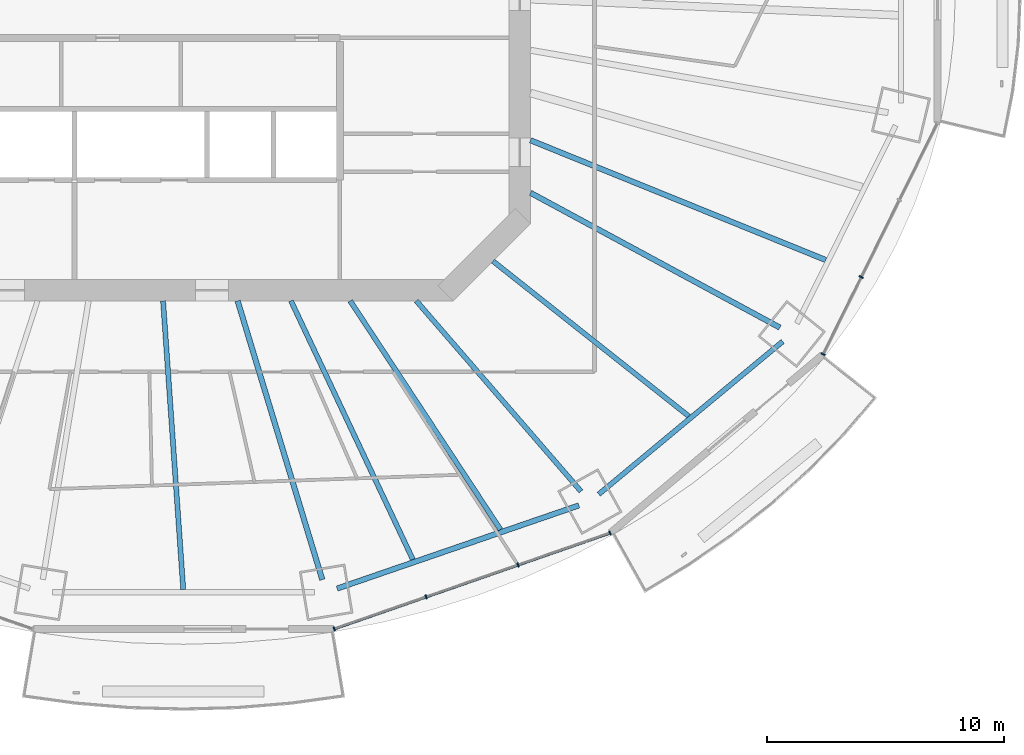
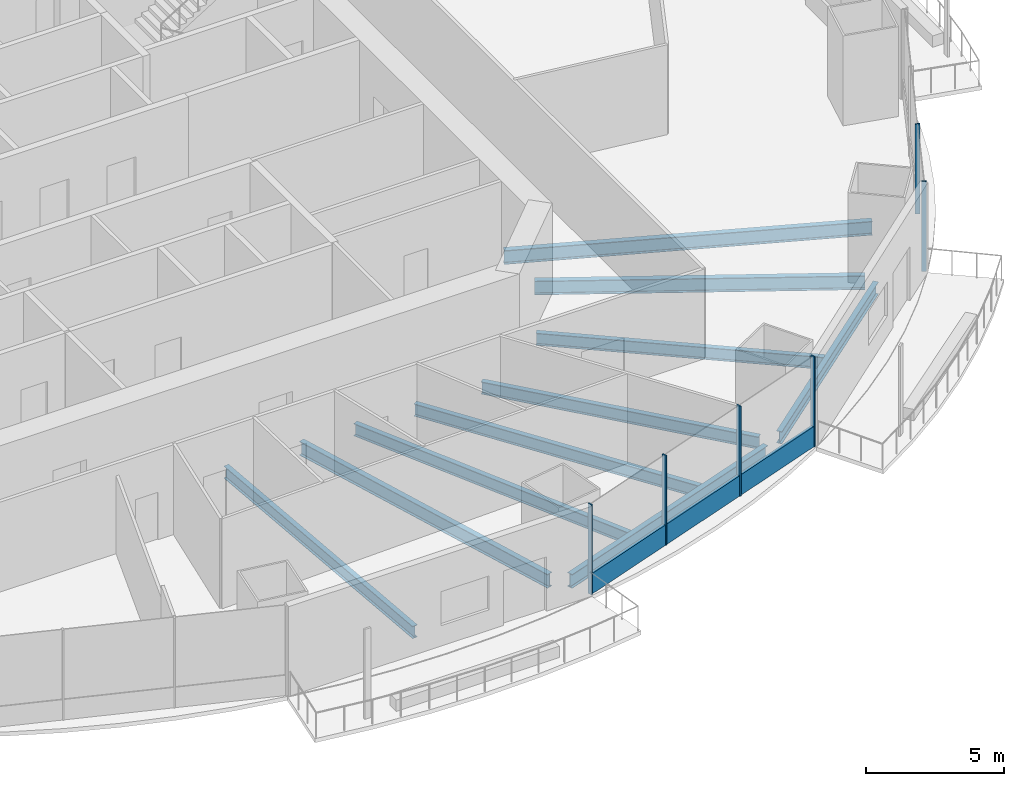
# One storey, part 4 of 20: 10 beams, 7 members, 2 elements without a shape of their own.
"""IFC4 building model written with IfcOpenShell, lengths in metres."""

import ifcopenshell
import ifcopenshell.guid

model = None  # the IFC model being written
_history = None  # IfcOwnerHistory: only IFC2X3 demands one
_inside = {}  # id of a spatial element -> (the spatial element, [elements in it])
_under = {}  # id of a project, library or spatial element -> (it, [spatial elements below it])
_declared = {}  # id of a project -> (the project, [libraries it declares])
_typed = {}  # id of a type object -> (the type object, [elements of that type])
_made_of = {}  # id of a material, layer set ... -> (it, [elements and type objects made of it])


def new_model(schema):
    """Start an empty IFC model of exactly this schema.

    Asked for "IFC4X3", IfcOpenShell would pick the latest addendum, in which some entities
    have other attributes; the version numbers below select the first issue.
    IFC2X3 requires an IfcOwnerHistory on every rooted entity: one is made here for all.
    """
    global model, _history
    if schema == "IFC4X3":
        model = ifcopenshell.file(schema_version=(4, 3, 0, 0))
    else:
        model = ifcopenshell.file(schema=schema)
    _inside.clear()
    _under.clear()
    _declared.clear()
    _typed.clear()
    _made_of.clear()
    _history = None
    if model.schema == "IFC2X3":
        org = make("IfcOrganization", Name="unknown")
        user = make(
            "IfcPersonAndOrganization",
            ThePerson=make("IfcPerson", FamilyName="unknown"),
            TheOrganization=org,
        )
        app = make(
            "IfcApplication",
            ApplicationDeveloper=org,
            Version="unknown",
            ApplicationFullName="unknown",
            ApplicationIdentifier="unknown",
        )
        _history = make(
            "IfcOwnerHistory",
            OwningUser=user,
            OwningApplication=app,
            ChangeAction="ADDED",
            CreationDate=0,
        )
    return model


def make(cls, **values):
    """One entity of the class cls with the attributes given. An attribute that is None is left unset."""
    return model.create_entity(
        cls, **{name: value for name, value in values.items() if value is not None}
    )


def rooted(cls, **values):
    """An entity with a GlobalId (a new one), such as an element, a storey or a relation."""
    return make(cls, GlobalId=ifcopenshell.guid.new(), OwnerHistory=_history, **values)


def si_unit(unit_type, name, prefix=None):
    """IfcSIUnit, for example si_unit("LENGTHUNIT", "METRE", prefix="MILLI")."""
    return make("IfcSIUnit", UnitType=unit_type, Prefix=prefix, Name=name)


def assignment(units):
    """IfcUnitAssignment: the units of a project."""
    return None if units is None else make("IfcUnitAssignment", Units=units)


def point(xyz):
    """IfcCartesianPoint."""
    return None if xyz is None else make("IfcCartesianPoint", Coordinates=xyz)


def direction(xyz):
    """IfcDirection."""
    return None if xyz is None else make("IfcDirection", DirectionRatios=xyz)


def frame(location, z_axis=None, x_axis=None):
    """IfcAxis2Placement3D, a coordinate frame: its origin and axes. An axis left out is left unset."""
    return make(
        "IfcAxis2Placement3D",
        Location=point(location),
        Axis=direction(z_axis),
        RefDirection=direction(x_axis),
    )


def frame_2d(location, x_axis=None):
    """IfcAxis2Placement2D, a coordinate frame in the plane: its origin and x axis."""
    return make(
        "IfcAxis2Placement2D", Location=point(location), RefDirection=direction(x_axis)
    )


def origin():
    """The frame at (0, 0, 0) with its axes left unset."""
    return frame((0.0, 0.0, 0.0))


def origin_2d():
    """The frame at (0, 0) in the plane with its x axis left unset."""
    return frame_2d((0.0, 0.0))


def place(relative_to, where):
    """IfcLocalPlacement: puts the frame where relative to a parent placement (None: the world)."""
    return make(
        "IfcLocalPlacement", PlacementRelTo=relative_to, RelativePlacement=where
    )


def context(
    kind, dimensions, precision=None, world=None, true_north=None, identifier=None
):
    """IfcGeometricRepresentationContext, for example the 3D "Model" context."""
    return make(
        "IfcGeometricRepresentationContext",
        ContextIdentifier=identifier,
        ContextType=kind,
        CoordinateSpaceDimension=dimensions,
        Precision=precision,
        WorldCoordinateSystem=world,
        TrueNorth=true_north,
    )


def subcontext(parent, identifier, kind, view, scale=None):
    """IfcGeometricRepresentationSubContext, for example "Body" below "Model"."""
    return make(
        "IfcGeometricRepresentationSubContext",
        ContextIdentifier=identifier,
        ContextType=kind,
        ParentContext=parent,
        TargetScale=scale,
        TargetView=view,
    )


def project(units=None, contexts=None):
    """IfcProject with its units and contexts."""
    return rooted(
        "IfcProject",
        Name="project",
        RepresentationContexts=contexts,
        UnitsInContext=assignment(units),
    )


def spatial(cls, under=None, at=None, **own):
    """A site, building, storey or space (cls), placed at a placement, below another one or the project."""
    s = rooted(cls, ObjectPlacement=at, **own)
    if under is not None:
        _under.setdefault(under.id(), (under, []))[1].append(s)
    return s


def profile(cls, at=None, kind="AREA", **sizes):
    """A parametric profile (cls). Its sizes go by their IFC names, for example OverallWidth=200.0."""
    return make(cls, ProfileType=kind, Position=at, **sizes)


def rectangle(**sizes):
    """IfcRectangleProfileDef."""
    return profile("IfcRectangleProfileDef", **sizes)


def i_section(**sizes):
    """IfcIShapeProfileDef."""
    return profile("IfcIShapeProfileDef", **sizes)


def extrude(swept, where, along, depth):
    """IfcExtrudedAreaSolid: the profile swept, set in the frame where, extruded along a direction by depth."""
    return make(
        "IfcExtrudedAreaSolid",
        SweptArea=swept,
        Position=where,
        ExtrudedDirection=direction(along),
        Depth=depth,
    )


def shape(context_of_items, identifier, shape_type, items):
    """IfcShapeRepresentation: the items that make up one representation, for example the "Body"."""
    return make(
        "IfcShapeRepresentation",
        ContextOfItems=context_of_items,
        RepresentationIdentifier=identifier,
        RepresentationType=shape_type,
        Items=items,
    )


def material(Name=None, Category=None):
    """IfcMaterial."""
    return make("IfcMaterial", Name=Name, Category=Category)


def material_profile(
    of_material, cross_section, Name=None, Category=None, Priority=None
):
    """IfcMaterialProfile: a cross section and its material."""
    return make(
        "IfcMaterialProfile",
        Name=Name,
        Material=of_material,
        Profile=cross_section,
        Priority=Priority,
        Category=Category,
    )


def profile_set(profiles, Name=None, composite=None):
    """IfcMaterialProfileSet."""
    return make(
        "IfcMaterialProfileSet",
        Name=Name,
        MaterialProfiles=profiles,
        CompositeProfile=composite,
    )


def made_of(thing, what):
    """Note that an element or type object is made of a material, layer set ...; save() writes the relation."""
    if what is not None:
        _made_of.setdefault(what.id(), (what, []))[1].append(thing)
    return thing


def type_object(cls, material=None, **own):
    """A type object (cls), such as IfcWallType, which elements share."""
    return made_of(rooted(cls, **own), material)


def element(
    cls,
    number,
    at=None,
    inside=None,
    cuts=None,
    type_object=None,
    material=None,
    context=None,
    identifier="Body",
    shape_type=None,
    held_by="IfcProductDefinitionShape",
    body=None,
    shapes=None,
    **own,
):
    """One element of the class cls, such as IfcWall. Its Tag is "e" and its number.

    at: its placement. inside: the storey or other place that contains it. cuts: it is an
    opening in that element (IfcRelVoidsElement). A single representation is given by context,
    identifier, shape_type and body (its items); several are given by shapes. held_by: the class
    of the entity that holds the representations. save() writes the other relations.
    """
    e = rooted(cls, Tag="e%d" % number, ObjectPlacement=at, **own)
    if body is not None:
        shapes = [shape(context, identifier, shape_type, body)]
    if shapes is not None:
        e.Representation = make(held_by, Representations=shapes)
    if inside is not None:
        _inside.setdefault(inside.id(), (inside, []))[1].append(e)
    if cuts is not None:
        rooted(
            "IfcRelVoidsElement", RelatingBuildingElement=cuts, RelatedOpeningElement=e
        )
    if type_object is not None:
        _typed.setdefault(type_object.id(), (type_object, []))[1].append(e)
    return made_of(e, material)


def aggregate(whole, parts):
    """IfcRelAggregates: a whole, such as a stair, and the parts it consists of."""
    return rooted("IfcRelAggregates", RelatingObject=whole, RelatedObjects=parts)


def save(model, path):
    """Write the relations noted so far, then the file.

    IfcRelAggregates (storeys below a building ...), IfcRelContainedInSpatialStructure (elements
    in a storey), IfcRelDefinesByType, IfcRelAssociatesMaterial and IfcRelDeclares: one each for
    every whole, place, type object, material and project.
    """
    for whole, parts in _under.values():
        aggregate(whole, parts)
    for where, things in _inside.values():
        rooted(
            "IfcRelContainedInSpatialStructure",
            RelatedElements=things,
            RelatingStructure=where,
        )
    for kind, things in _typed.values():
        rooted("IfcRelDefinesByType", RelatedObjects=things, RelatingType=kind)
    for what, things in _made_of.values():
        rooted("IfcRelAssociatesMaterial", RelatedObjects=things, RelatingMaterial=what)
    for by, libraries in _declared.values():
        rooted("IfcRelDeclares", RelatingContext=by, RelatedDefinitions=libraries)
    model.write(path)


model = new_model("IFC4")

# Units and contexts
model_context = context("Model", 3, precision=1e-05, world=origin(), true_north=direction((0.0, 1.0)))
body_context = subcontext(model_context, "Body", "Model", "MODEL_VIEW")
ifc_project = project(units=[si_unit("LENGTHUNIT", "METRE"), si_unit("AREAUNIT", "SQUARE_METRE"), si_unit("VOLUMEUNIT", "CUBIC_METRE"), si_unit("PLANEANGLEUNIT", "RADIAN"), si_unit("MASSUNIT", "GRAM", prefix="KILO")], contexts=[model_context])

# Site, building, storey
site_placement = place(None, origin())
site = spatial("IfcSite", under=ifc_project, at=site_placement, CompositionType="ELEMENT")
building_placement = place(site_placement, origin())
building = spatial("IfcBuilding", under=site, at=building_placement, Name="Marenthal Gate Tower", CompositionType="ELEMENT")
storey_placement = place(building_placement, frame((0.0, 0.0, 181.800048828125)))
storey = spatial("IfcBuildingStorey", under=building, at=storey_placement, Name="L39", CompositionType="ELEMENT", Elevation=181.800048828125)

# Curtain wall, members
ifc_material_1 = material(Name="Aluminium and glass", Category="aluminium")
curtain_wall_type = type_object("IfcCurtainWallType", Name="Curtain wall typical mid", PredefinedType="NOTDEFINED", material=ifc_material_1)
curtain_wall_1_placement = place(storey_placement, origin())
curtain_wall_1 = element("IfcCurtainWall", 1, at=curtain_wall_1_placement, inside=storey, type_object=curtain_wall_type, Name="Curtain wall L39 bay 13", PredefinedType="NOTDEFINED")
ifc_material_2 = material(Name="Aluminium", Category="aluminium")
ifc_material_profile_1 = material_profile(ifc_material_2, rectangle(XDim=0.179931640625, YDim=0.06005859375, at=origin_2d()), Name="60x180 aluminium mullion")
ifc_profile_set_1 = profile_set([ifc_material_profile_1], Name="Aluminium")
member_type_1 = type_object("IfcMemberType", Name="Mullion 60x180 typical mid", PredefinedType="MULLION", material=ifc_profile_set_1)
member_1_placement = place(storey_placement, frame((8.160400390625, -27.29296875, 0.0), z_axis=(0.0, 0.0, 1.0), x_axis=(-0.32821091538, 0.944604464856, 0.0)))
member_1 = element("IfcMember", 2, at=member_1_placement, type_object=member_type_1, Name="Mullion L39 bay 13.1", PredefinedType="MULLION", context=body_context, shape_type="SweptSolid", body=[
    extrude(rectangle(XDim=0.179931640625, YDim=0.06005859375, at=origin_2d()), origin(), (0.0, 0.0, 1.0), 3.969970703125),
])
member_2_placement = place(storey_placement, frame((12.04150390625, -25.944580078125, 0.0), z_axis=(0.0, 0.0, 1.0), x_axis=(-0.32821091538, 0.944604464856, 0.0)))
member_2 = element("IfcMember", 3, at=member_2_placement, type_object=member_type_1, Name="Mullion L39 bay 13.2", PredefinedType="MULLION", context=body_context, shape_type="SweptSolid", body=[
    extrude(rectangle(XDim=0.179931640625, YDim=0.06005859375, at=origin_2d()), origin(), (0.0, 0.0, 1.0), 3.969970703125),
])
member_3_placement = place(storey_placement, frame((15.922607421875, -24.595947265625, 0.0), z_axis=(0.0, 0.0, 1.0), x_axis=(-0.32821091538, 0.944604464856, 0.0)))
member_3 = element("IfcMember", 4, at=member_3_placement, type_object=member_type_1, Name="Mullion L39 bay 13.3", PredefinedType="MULLION", context=body_context, shape_type="SweptSolid", body=[
    extrude(rectangle(XDim=0.179931640625, YDim=0.06005859375, at=origin_2d()), origin(), (0.0, 0.0, 1.0), 3.969970703125),
])
member_4_placement = place(storey_placement, frame((19.8037109375, -23.24755859375, 0.0), z_axis=(0.0, 0.0, 1.0), x_axis=(-0.32821091538, 0.944604464856, 0.0)))
member_4 = element("IfcMember", 5, at=member_4_placement, type_object=member_type_1, Name="Mullion L39 bay 13.4", PredefinedType="MULLION", context=body_context, shape_type="SweptSolid", body=[
    extrude(rectangle(XDim=0.179931640625, YDim=0.06005859375, at=origin_2d()), origin(), (0.0, 0.0, 1.0), 3.969970703125),
])

curtain_wall_2_placement = place(storey_placement, origin())
curtain_wall_2 = element("IfcCurtainWall", 6, at=curtain_wall_2_placement, inside=storey, type_object=curtain_wall_type, Name="Curtain wall L39 bay 15", PredefinedType="NOTDEFINED")
member_5_placement = place(storey_placement, frame((28.80029296875, -15.69921875, 0.0), z_axis=(0.0, 0.0, 1.0), x_axis=(-0.89664343149, 0.442753381428, 0.0)))
member_5 = element("IfcMember", 7, at=member_5_placement, type_object=member_type_1, Name="Mullion L39 bay 15.1", PredefinedType="MULLION", context=body_context, shape_type="SweptSolid", body=[
    extrude(rectangle(XDim=0.179931640625, YDim=0.06005859375, at=origin_2d()), origin(), (0.0, 0.0, 1.0), 3.969970703125),
])
member_6_placement = place(storey_placement, frame((30.40673828125, -12.445556640625, 0.0), z_axis=(0.0, 0.0, 1.0), x_axis=(-0.89664343149, 0.442753381428, 0.0)))
member_6 = element("IfcMember", 8, at=member_6_placement, type_object=member_type_1, Name="Mullion L39 bay 15.2", PredefinedType="MULLION", context=body_context, shape_type="SweptSolid", body=[
    extrude(rectangle(XDim=0.179931640625, YDim=0.06005859375, at=origin_2d()), origin(), (0.0, 0.0, 1.0), 3.969970703125),
])
aggregate(curtain_wall_2, [member_5, member_6])

# Member
ifc_material_3 = material(Name="Aluminium", Category="aluminium")
ifc_material_profile_2 = material_profile(ifc_material_3, rectangle(XDim=0.1201171875, YDim=0.89990234375, at=origin_2d()), Name="120x900 aluminium transom")
ifc_profile_set_2 = profile_set([ifc_material_profile_2], Name="Aluminium")
member_type_2 = type_object("IfcMemberType", Name="Transom 120x900 typical mid", PredefinedType="USERDEFINED", material=ifc_profile_set_2)
member_7_placement = place(storey_placement, frame((8.188720703125, -27.283203125, 0.449951171875), z_axis=(0.944604688319, 0.328210272243, 0.0), x_axis=(-0.328210272243, 0.944604688319, 0.0)))
member_7 = element("IfcMember", 9, at=member_7_placement, type_object=member_type_2, Name="Transom L39 bay 13", ObjectType="TRANSOM", PredefinedType="USERDEFINED", context=body_context, shape_type="SweptSolid", body=[
    extrude(rectangle(XDim=0.1201171875, YDim=0.89990234375, at=origin_2d()), origin(), (0.0, 0.0, 1.0), 12.26611328125),
])

aggregate(curtain_wall_1, [member_1, member_2, member_3, member_4, member_7])

# Beams
ifc_material_4 = material(Name="Steel S355", Category="steel")
ifc_material_profile_3 = material_profile(ifc_material_4, i_section(OverallWidth=0.2099609375, OverallDepth=0.535888671875, WebThickness=0.010986328125, FlangeThickness=0.017333984375, FilletRadius=0.0126953125, at=origin_2d()), Name="W530X101")
ifc_profile_set_3 = profile_set([ifc_material_profile_3], Name="Steel S355")
beam_type_1 = type_object("IfcBeamType", Name="W530X101 beam", PredefinedType="BEAM", material=ifc_profile_set_3)
beam_1_placement = place(storey_placement, frame((23.12890625, -18.31884765625, -0.447998046875), z_axis=(-0.783911518146, 0.620872556745, 0.0), x_axis=(-0.620872556745, -0.783911518146, 0.0)))
element("IfcBeam", 10, at=beam_1_placement, inside=storey, type_object=beam_type_1, Name="BM-L39-37", PredefinedType="BEAM", context=body_context, shape_type="SweptSolid", body=[
    extrude(i_section(OverallWidth=0.2099609375, OverallDepth=0.535888671875, WebThickness=0.010986328125, FlangeThickness=0.017333984375, FilletRadius=0.0126953125, at=origin_2d()), origin(), (0.0, 0.0, 1.0), 10.54345703125),
])
ifc_material_5 = material(Name="Steel S355", Category="steel")
ifc_material_profile_4 = material_profile(ifc_material_5, i_section(OverallWidth=0.2119140625, OverallDepth=0.5439453125, WebThickness=0.01318359375, FlangeThickness=0.021240234375, FilletRadius=0.0126953125, at=origin_2d()), Name="W530X123")
ifc_profile_set_4 = profile_set([ifc_material_profile_4], Name="Steel S355")
beam_type_2 = type_object("IfcBeamType", Name="W530X123 beam", PredefinedType="BEAM", material=ifc_profile_set_4)
beam_2_placement = place(storey_placement, frame((18.57958984375, -21.490478515625, -0.4521484375), z_axis=(-0.654014478657, 0.756482029996, 0.0), x_axis=(-0.756482029996, -0.654014478657, 0.0)))
element("IfcBeam", 11, at=beam_2_placement, inside=storey, type_object=beam_type_2, Name="BM-L39-14", PredefinedType="BEAM", context=body_context, shape_type="SweptSolid", body=[
    extrude(i_section(OverallWidth=0.2119140625, OverallDepth=0.5439453125, WebThickness=0.01318359375, FlangeThickness=0.021240234375, FilletRadius=0.0126953125, at=origin_2d()), origin(), (0.0, 0.0, 1.0), 10.62890625),
])
beam_3_placement = place(storey_placement, frame((1.7919921875, -25.638671875, -0.4521484375), z_axis=(-0.06971479493, 0.997566963851, 0.0), x_axis=(-0.997566963851, -0.06971479493, 0.0)))
element("IfcBeam", 12, at=beam_3_placement, inside=storey, type_object=beam_type_2, Name="BM-L39-34", PredefinedType="BEAM", context=body_context, shape_type="SweptSolid", body=[
    extrude(i_section(OverallWidth=0.2119140625, OverallDepth=0.5439453125, WebThickness=0.01318359375, FlangeThickness=0.021240234375, FilletRadius=0.0126953125, at=origin_2d()), origin(), (0.0, 0.0, 1.0), 12.218505859375),
])
beam_4_placement = place(storey_placement, frame((11.48486328125, -24.37255859375, -0.4521484375), z_axis=(-0.426266322178, 0.904597713117, 0.0), x_axis=(-0.904597713117, -0.426266322178, 0.0)))
element("IfcBeam", 13, at=beam_4_placement, inside=storey, type_object=beam_type_2, Name="BM-L39-35", PredefinedType="BEAM", context=body_context, shape_type="SweptSolid", body=[
    extrude(i_section(OverallWidth=0.2119140625, OverallDepth=0.5439453125, WebThickness=0.01318359375, FlangeThickness=0.021240234375, FilletRadius=0.0126953125, at=origin_2d()), origin(), (0.0, 0.0, 1.0), 12.074462890625),
])
beam_5_placement = place(storey_placement, frame((15.17919921875, -23.1015625, -0.4521484375), z_axis=(-0.549136123966, 0.835732922264, 0.0), x_axis=(-0.835732922264, -0.549136123966, 0.0)))
element("IfcBeam", 14, at=beam_5_placement, inside=storey, type_object=beam_type_2, Name="BM-L39-36", PredefinedType="BEAM", context=body_context, shape_type="SweptSolid", body=[
    extrude(i_section(OverallWidth=0.2119140625, OverallDepth=0.5439453125, WebThickness=0.01318359375, FlangeThickness=0.021240234375, FilletRadius=0.0126953125, at=origin_2d()), origin(), (0.0, 0.0, 1.0), 11.548583984375),
])
beam_6_placement = place(storey_placement, frame((19.3330078125, -21.609375, -0.4521484375), z_axis=(0.769253878799, 0.638943244704, 0.0), x_axis=(-0.638943244704, 0.769253878799, 0.0)))
element("IfcBeam", 15, at=beam_6_placement, inside=storey, type_object=beam_type_2, Name="BM-L39-54", PredefinedType="BEAM", context=body_context, shape_type="SweptSolid", body=[
    extrude(i_section(OverallWidth=0.2119140625, OverallDepth=0.5439453125, WebThickness=0.01318359375, FlangeThickness=0.021240234375, FilletRadius=0.0126953125, at=origin_2d()), origin(), (0.0, 0.0, 1.0), 10.087158203125),
])
ifc_material_6 = material(Name="Steel S355", Category="steel")
ifc_material_profile_5 = material_profile(ifc_material_6, i_section(OverallWidth=0.22900390625, OverallDepth=0.612060546875, WebThickness=0.011962890625, FlangeThickness=0.01953125, FilletRadius=0.0126953125, at=origin_2d()), Name="W610X125")
ifc_profile_set_5 = profile_set([ifc_material_profile_5], Name="Steel S355")
beam_type_3 = type_object("IfcBeamType", Name="W610X125 beam", PredefinedType="BEAM", material=ifc_profile_set_5)
beam_7_placement = place(storey_placement, frame((7.661376953125, -25.21826171875, -0.486083984375), z_axis=(-0.290680547451, 0.956820160392, 0.0), x_axis=(-0.956820160392, -0.290680547451, 0.0)))
element("IfcBeam", 16, at=beam_7_placement, inside=storey, type_object=beam_type_3, Name="BM-L39-13", PredefinedType="BEAM", context=body_context, shape_type="SweptSolid", body=[
    extrude(i_section(OverallWidth=0.22900390625, OverallDepth=0.612060546875, WebThickness=0.011962890625, FlangeThickness=0.01953125, FilletRadius=0.0126953125, at=origin_2d()), origin(), (0.0, 0.0, 1.0), 12.29931640625),
])
beam_8_placement = place(storey_placement, frame((26.97412109375, -14.578369140625, -0.486083984375), z_axis=(-0.87974135187, 0.475452577877, 0.0), x_axis=(-0.475452577877, -0.87974135187, 0.0)))
element("IfcBeam", 17, at=beam_8_placement, inside=storey, type_object=beam_type_3, Name="BM-L39-15", PredefinedType="BEAM", context=body_context, shape_type="SweptSolid", body=[
    extrude(i_section(OverallWidth=0.22900390625, OverallDepth=0.612060546875, WebThickness=0.011962890625, FlangeThickness=0.01953125, FilletRadius=0.0126953125, at=origin_2d()), origin(), (0.0, 0.0, 1.0), 11.962890625),
])
beam_9_placement = place(storey_placement, frame((28.91162109375, -11.7265625, -0.486083984375), z_axis=(-0.926676727165, 0.375859339821, 0.0), x_axis=(-0.375859339821, -0.926676727165, 0.0)))
element("IfcBeam", 18, at=beam_9_placement, inside=storey, type_object=beam_type_3, Name="BM-L39-38", PredefinedType="BEAM", context=body_context, shape_type="SweptSolid", body=[
    extrude(i_section(OverallWidth=0.22900390625, OverallDepth=0.612060546875, WebThickness=0.011962890625, FlangeThickness=0.01953125, FilletRadius=0.0126953125, at=origin_2d()), origin(), (0.0, 0.0, 1.0), 13.44775390625),
])
beam_10_placement = place(storey_placement, frame((8.2861328125, -25.59423828125, -0.486083984375), z_axis=(0.945596584749, 0.325341511203, 0.0), x_axis=(-0.325341511203, 0.945596584749, 0.0)))
element("IfcBeam", 19, at=beam_10_placement, inside=storey, type_object=beam_type_3, Name="BM-L39-53", PredefinedType="BEAM", context=body_context, shape_type="SweptSolid", body=[
    extrude(i_section(OverallWidth=0.22900390625, OverallDepth=0.612060546875, WebThickness=0.011962890625, FlangeThickness=0.01953125, FilletRadius=0.0126953125, at=origin_2d()), origin(), (0.0, 0.0, 1.0), 10.791748046875),
])

save(model, "model.ifc")
